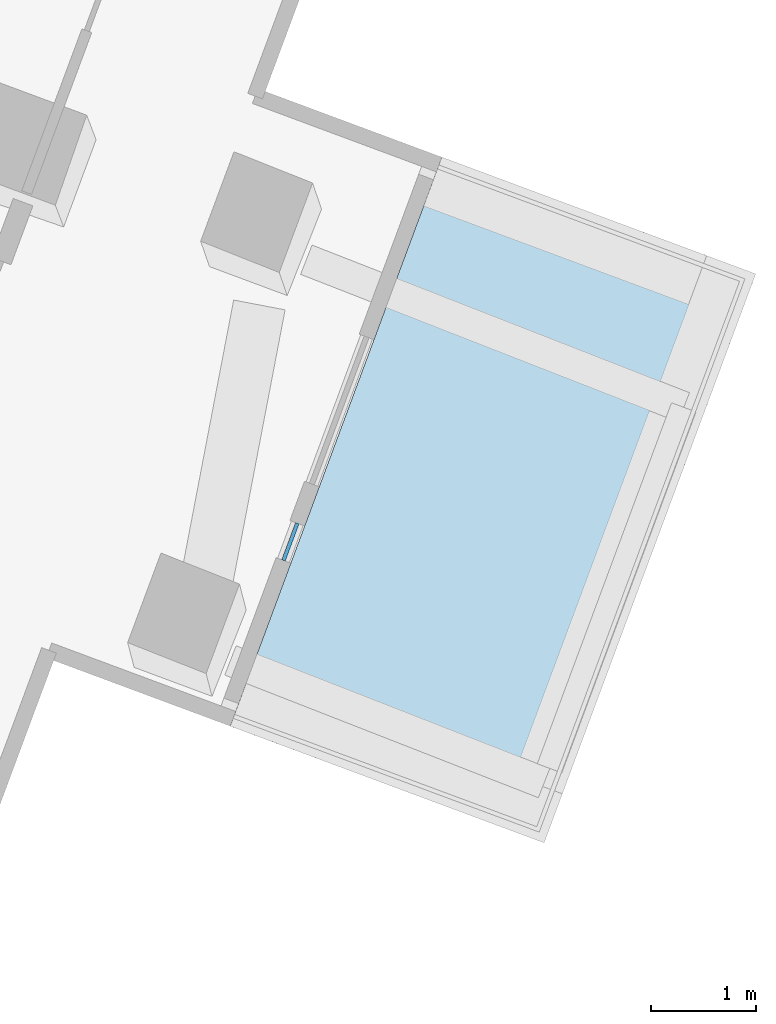
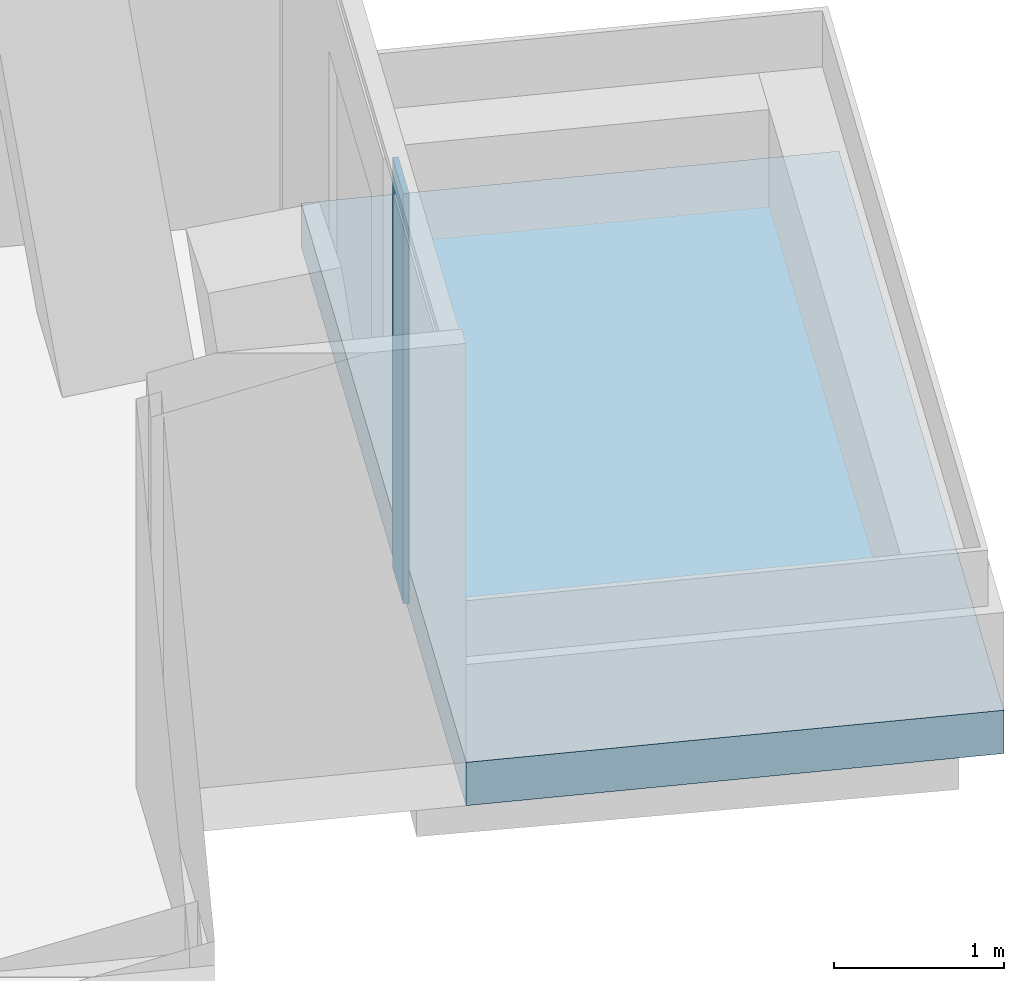
# One storey, part 17 of 27: 1 plate, 1 slab, 1 element without a shape of its own.
"""IFC4 building model written with IfcOpenShell, lengths in metres."""

from ifc_helpers import new_model, si_unit, direction, frame, origin, origin_2d, place, context, subcontext, project, spatial, polyline, rectangle, outline, extrude, material, layer, layer_set, type_object, element, aggregate, save


model = new_model("IFC4")

# Units and contexts
model_context = context("Model", 3, precision=1e-05, world=origin(), true_north=direction((0.0, 1.0)))
body_context = subcontext(model_context, "Body", "Model", "MODEL_VIEW")
ifc_project = project(units=[si_unit("LENGTHUNIT", "METRE"), si_unit("AREAUNIT", "SQUARE_METRE"), si_unit("VOLUMEUNIT", "CUBIC_METRE"), si_unit("PLANEANGLEUNIT", "RADIAN"), si_unit("MASSUNIT", "GRAM", prefix="KILO")], contexts=[model_context])

# Site, building, storey
site_placement = place(None, origin())
site = spatial("IfcSite", under=ifc_project, at=site_placement, CompositionType="ELEMENT")
building_placement = place(site_placement, origin())
building = spatial("IfcBuilding", under=site, at=building_placement, Name="Verdalira Terraces Hotel", CompositionType="ELEMENT")
storey_placement = place(building_placement, frame((0.0, 0.0, 71.5)))
storey = spatial("IfcBuildingStorey", under=building, at=storey_placement, Name="L16", CompositionType="ELEMENT", Elevation=71.5)

# Slab
ifc_material_1 = material(Name="Precast concrete C40/50", Category="concrete")
ifc_layer_1 = layer(ifc_material_1, 0.31005859375)
ifc_layer_set_1 = layer_set([ifc_layer_1], Name="Balcony deck 310")
slab_type = type_object("IfcSlabType", Name="Balcony deck 310", PredefinedType="FLOOR", material=ifc_layer_set_1)
slab_placement = place(storey_placement, frame((0.0, 0.0, -0.310059)))
element("IfcSlab", 1, at=slab_placement, inside=storey, type_object=slab_type, Name="Balcony deck", PredefinedType="FLOOR", context=body_context, shape_type="SweptSolid", body=[
    extrude(outline(polyline([(38.387939, -11.182373), (35.388672, -10.066895), (33.366943, -15.503174), (36.366211, -16.618408), (38.387939, -11.182373)])), origin(), (0.0, 0.0, 1.0), 0.310059),
])

# Curtain wall, plate
ifc_material_2 = material(Name="Clear glass", Category="glass")
ifc_layer_2 = layer(ifc_material_2, 0.14990234375)
ifc_layer_set_2 = layer_set([ifc_layer_2], Name="CW3 curtain wall")
curtain_wall_type = type_object("IfcCurtainWallType", Name="CW3 curtain wall", PredefinedType="NOTDEFINED", material=ifc_layer_set_2)
curtain_wall_placement = place(storey_placement, origin())
curtain_wall = element("IfcCurtainWall", 2, at=curtain_wall_placement, inside=storey, type_object=curtain_wall_type, Name="CW3 curtain wall L16 edge 33", PredefinedType="NOTDEFINED")
ifc_material_3 = material(Name="Clear glass", Category="glass")
ifc_layer_3 = layer(ifc_material_3, 0.035888671875)
ifc_layer_set_3 = layer_set([ifc_layer_3], Name="CW3 glass unit 36")
plate_type = type_object("IfcPlateType", Name="CW3 glass unit 36", PredefinedType="CURTAIN_PANEL", material=ifc_layer_set_3)
plate_placement = place(storey_placement, frame((33.94165, -13.742432, 0.0), z_axis=(0.0, 0.0, 1.0), x_axis=(0.348572047, 0.937281989, 0.0)))
plate = element("IfcPlate", 3, at=plate_placement, type_object=plate_type, Name="CW3 glass unit", PredefinedType="CURTAIN_PANEL", context=body_context, shape_type="SweptSolid", body=[
    extrude(rectangle(XDim=0.378906, YDim=0.035889, at=origin_2d()), origin(), (0.0, 0.0, 1.0), 2.935059),
])
aggregate(curtain_wall, [plate])

save(model, "model.ifc")
